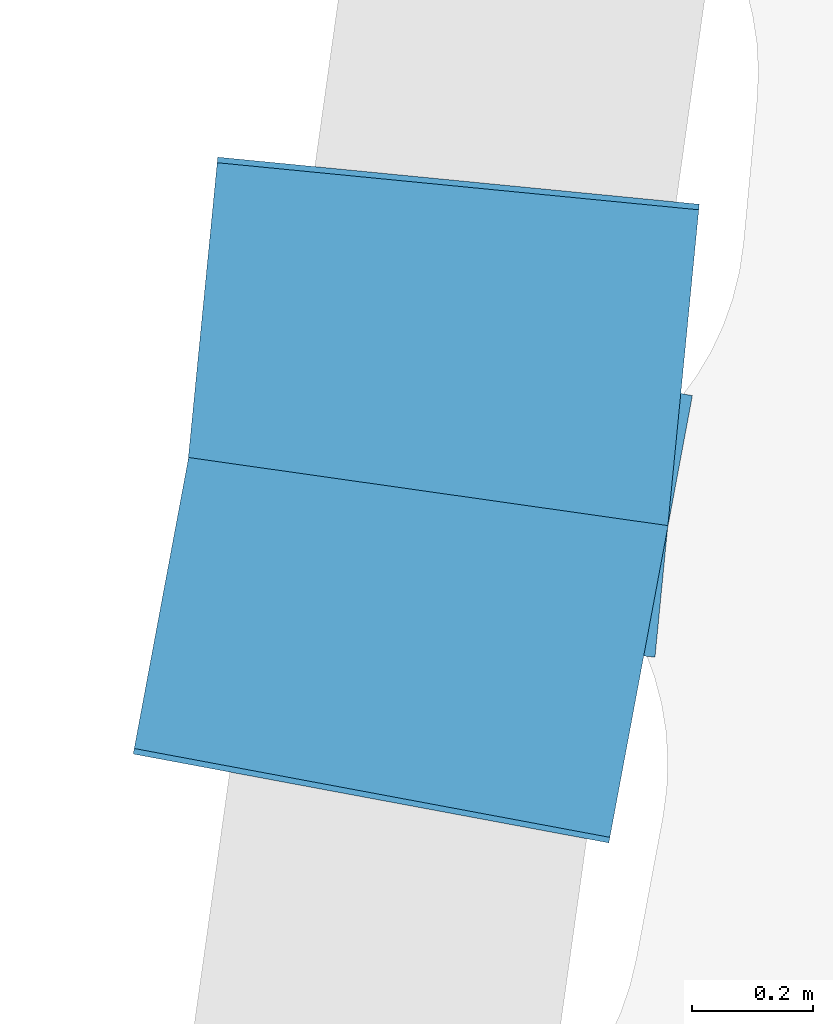
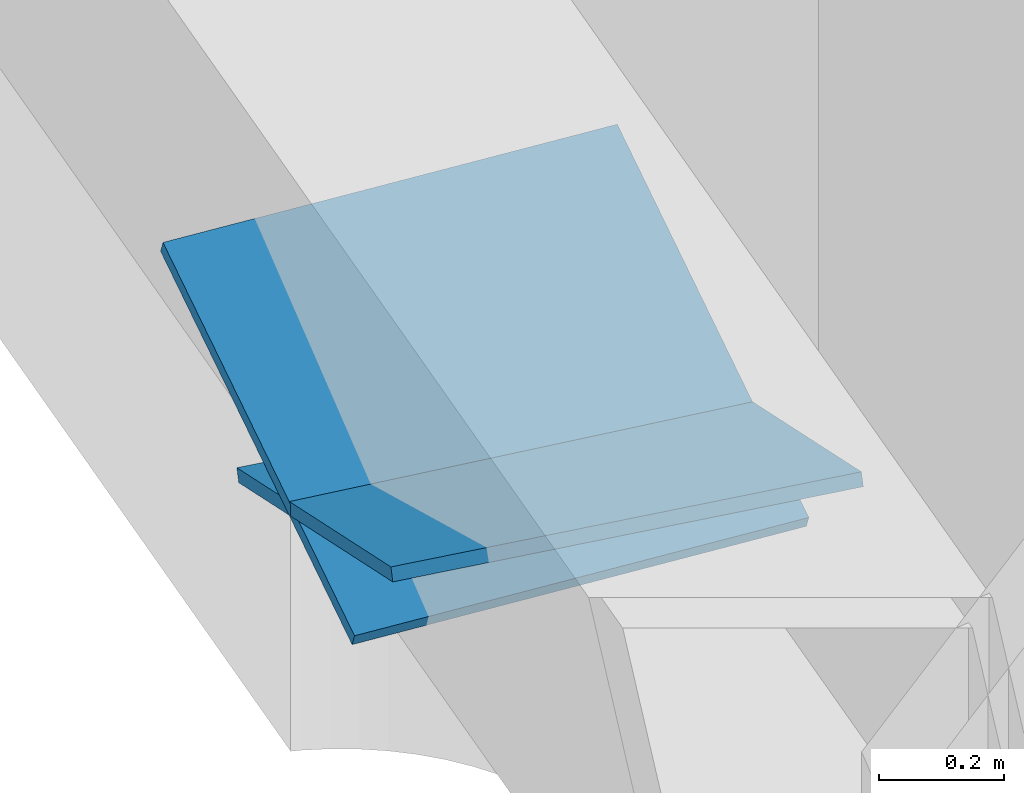
# One storey, part 28 of 34: 2 discrete accessories.
"""IFC4 building model written with IfcOpenShell, lengths in metres."""

from ifc_helpers import new_model, si_unit, direction, frame, origin, origin_2d, place, context, subcontext, project, spatial, rectangle, extrude, material, material_profile, profile_set, type_object, element, save


model = new_model("IFC4")

# Units and contexts
model_context = context("Model", 3, precision=1e-05, world=origin(), true_north=direction((0.0, 1.0)))
body_context = subcontext(model_context, "Body", "Model", "MODEL_VIEW")
ifc_project = project(units=[si_unit("LENGTHUNIT", "METRE"), si_unit("AREAUNIT", "SQUARE_METRE"), si_unit("VOLUMEUNIT", "CUBIC_METRE"), si_unit("PLANEANGLEUNIT", "RADIAN"), si_unit("MASSUNIT", "GRAM", prefix="KILO")], contexts=[model_context])

# Site, building, storey
site_placement = place(None, origin())
site = spatial("IfcSite", under=ifc_project, at=site_placement, CompositionType="ELEMENT")
building_placement = place(site_placement, origin())
building = spatial("IfcBuilding", under=site, at=building_placement, Name="Mirante Cascada Hotel Towers", CompositionType="ELEMENT")
storey_placement = place(building_placement, frame((0.0, 0.0, 148.1)))
storey = spatial("IfcBuildingStorey", under=building, at=storey_placement, Name="L34", CompositionType="ELEMENT", Elevation=148.1)

# Discrete accessories
ifc_material = material(Name="Steel ASTM A572 Gr 50", Category="steel")
ifc_material_profile = material_profile(ifc_material, rectangle(XDim=0.8, YDim=0.8, at=origin_2d()), Name="Connection plate 800x800x25 ASTM A572 Gr 50")
ifc_profile_set = profile_set([ifc_material_profile], Name="Steel ASTM A572 Gr 50")
discrete_accessory_type = type_object("IfcDiscreteAccessoryType", Name="Connection plate 800x800x25 ASTM A572 Gr 50", PredefinedType="BRACKET", material=ifc_profile_set)
for number, where, z_axis, x_axis, name in (
    (1, (-102.387, 8.0273, 0.9413), (0.0680577, 0.3643091, 0.9287879), (-0.9829943, 0.1836363, 0.0), "Connection plate MB-OL20L"),
    (2, (-102.3467, 8.3137, 0.9413), (-0.0360378, -0.3683863, 0.9289741), (0.9952491, -0.0973613, 0.0), "Connection plate MB-OL20R"),
):
    element("IfcDiscreteAccessory", number, at=place(storey_placement, frame(where, z_axis=z_axis, x_axis=x_axis)), inside=storey, type_object=discrete_accessory_type, Name=name, PredefinedType="BRACKET", context=body_context, shape_type="SweptSolid", body=[
        extrude(rectangle(XDim=0.8, YDim=0.8, at=origin_2d()), origin(), (0.0, 0.0, 1.0), 0.025),
    ])

save(model, "model.ifc")
